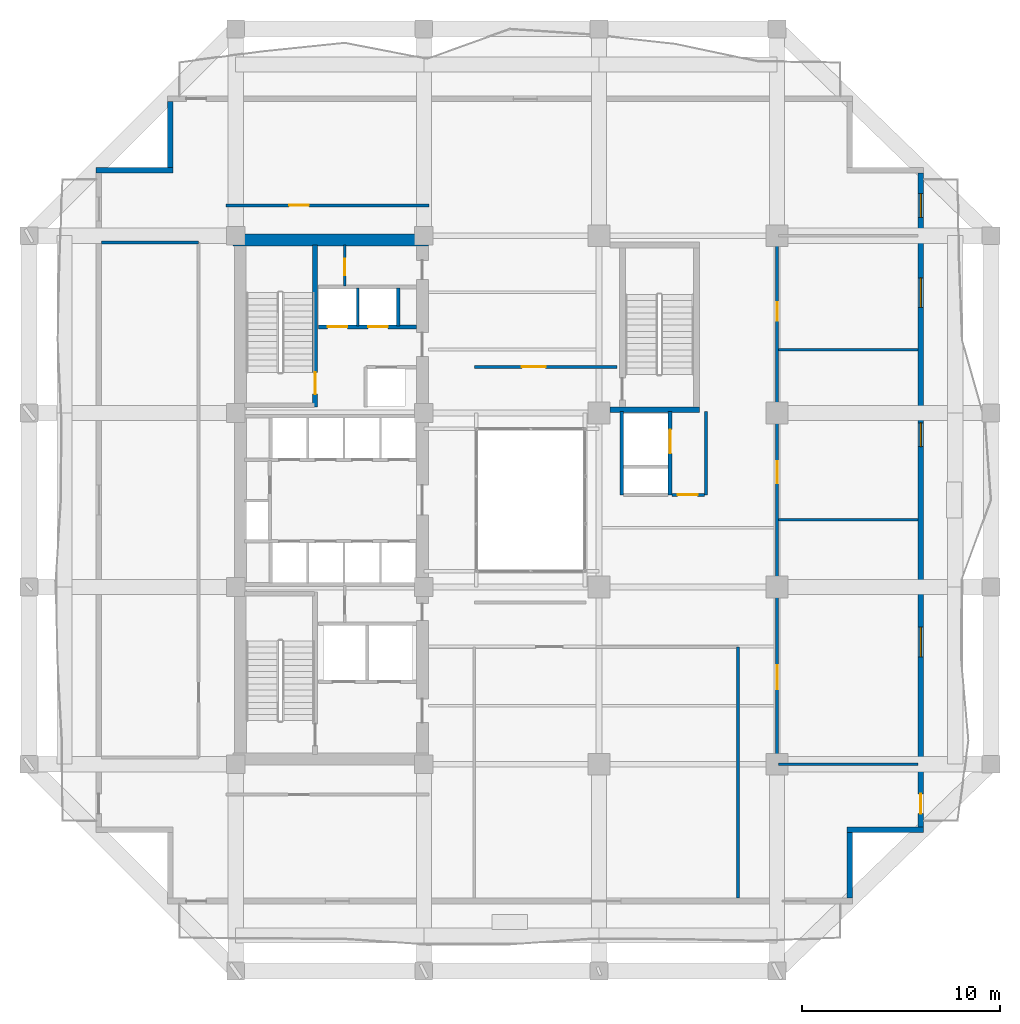
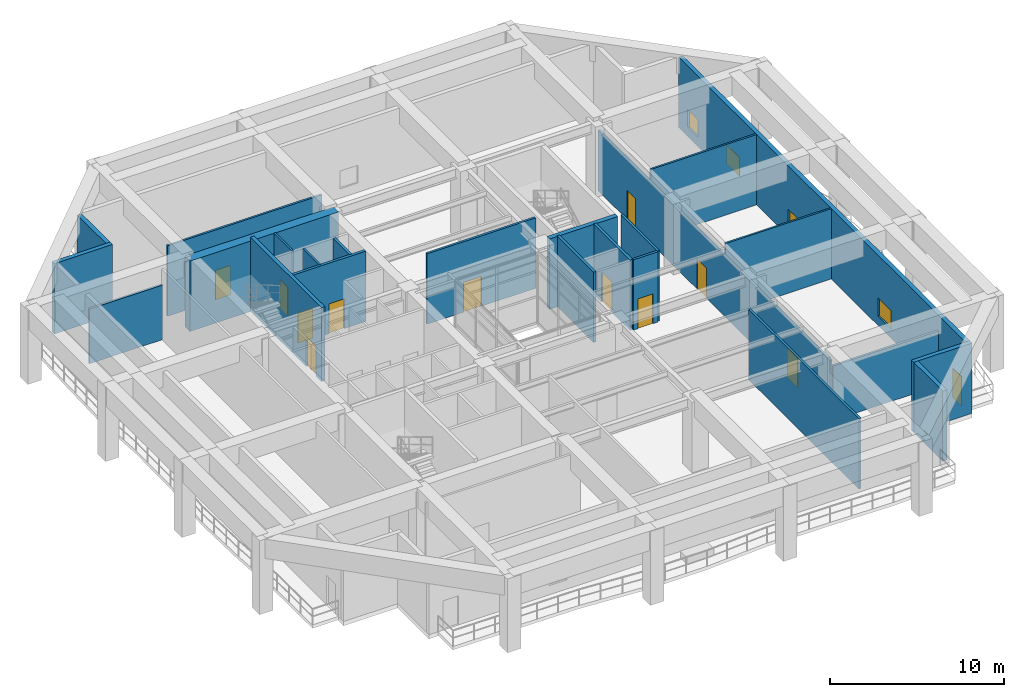
# One storey, part 7 of 13: 24 walls, 12 doors, 4 windows, 16 openings.
"""IFC4 building model written with IfcOpenShell, lengths in metres."""

from ifc_helpers import new_model, si_unit, direction, frame, frame_2d, origin, place, context, subcontext, project, spatial, rectangle, extrude, material, layer, layer_set, type_object, element, fill, save


model = new_model("IFC4")

# Units and contexts
model_context = context("Model", 3, precision=1e-05, world=origin(), true_north=direction((0.0, 1.0)))
body_context = subcontext(model_context, "Body", "Model", "MODEL_VIEW")
ifc_project = project(units=[si_unit("LENGTHUNIT", "METRE"), si_unit("AREAUNIT", "SQUARE_METRE"), si_unit("VOLUMEUNIT", "CUBIC_METRE"), si_unit("PLANEANGLEUNIT", "RADIAN"), si_unit("MASSUNIT", "GRAM", prefix="KILO")], contexts=[model_context])

# Site, building, storey
site_placement = place(None, origin())
site = spatial("IfcSite", under=ifc_project, at=site_placement, CompositionType="ELEMENT")
building_placement = place(site_placement, origin())
building = spatial("IfcBuilding", under=site, at=building_placement, Name="Kundavana Baori Tower", CompositionType="ELEMENT")
storey_placement = place(building_placement, frame((0.0, 0.0, 98.800048828125)))
storey = spatial("IfcBuildingStorey", under=building, at=storey_placement, Name="L23", CompositionType="ELEMENT", Elevation=98.800048828125)

# Wall, opening, door
ifc_material_1 = material(Name="Concrete C50/60", Category="concrete")
ifc_layer_1 = layer(ifc_material_1, 0.39990234375, Name="WL-CORE-400")
ifc_layer_set_1 = layer_set([ifc_layer_1], Name="Concrete C50/60")
wall_type_1 = type_object("IfcWallType", Name="WL-CORE-400", PredefinedType="SHEAR", material=ifc_layer_set_1)
wall_1_placement = place(storey_placement, frame((19.4599609375, 33.300048828125, 0.0), z_axis=(0.0, 0.0, 1.0), x_axis=(0.0, 1.0, 0.0)))
wall_1 = element("IfcWall", 1, at=wall_1_placement, inside=storey, type_object=wall_type_1, Name="WL-L23-ST2-E", PredefinedType="SHEAR", context=body_context, shape_type="SweptSolid", body=[
    extrude(rectangle(XDim=8.179931640625, YDim=0.239990234375, at=frame_2d((4.08984375, 0.0))), origin(), (0.0, 0.0, 1.0), 5.199951171875),
])
opening_1_placement = place(wall_1_placement, frame((0.64990234375, 0.0, 0.0)))
opening_1 = element("IfcOpeningElement", 2, at=opening_1_placement, cuts=wall_1, Name="Opening FD-110", PredefinedType="OPENING", context=body_context, shape_type="SweptSolid", body=[
    extrude(rectangle(XDim=1.10009765625, YDim=2.10009765625, at=frame_2d((0.550048828125, 1.050048828125))), frame((0.0, 0.1298828125, 0.0), z_axis=(0.0, -1.0, 0.0), x_axis=(1.0, 0.0, 0.0)), (0.0, 0.0, 1.0), 0.260009765625),
])
ifc_material_2 = material(Name="Galvanised Steel Fire-Rated Door Leaf", Category="steel")
door_type_1 = type_object("IfcDoorType", Name="DR-FD120-1100", OperationType="NOTDEFINED", PredefinedType="DOOR", material=ifc_material_2)
door_1_placement = place(opening_1_placement, origin())
door_1 = element("IfcDoor", 3, at=door_1_placement, inside=storey, type_object=door_type_1, Name="DR-L23-ST2", OperationType="SINGLE_SWING_RIGHT", OverallHeight=2.10009765625, OverallWidth=1.10009765625, PredefinedType="DOOR", context=body_context, shape_type="SweptSolid", body=[
    extrude(rectangle(XDim=1.10009765625, YDim=2.10009765625, at=frame_2d((0.550048828125, 1.050048828125))), frame((0.0, 0.02490234375, 0.0), z_axis=(0.0, -1.0, 0.0), x_axis=(1.0, 0.0, 0.0)), (0.0, 0.0, 1.0), 0.050048828125),
])
fill(opening_1, door_1)

# Walls
ifc_material_3 = material(Name="Concrete C60/75", Category="concrete")
ifc_layer_2 = layer(ifc_material_3, 0.60009765625, Name="WL-CORE-600")
ifc_layer_set_2 = layer_set([ifc_layer_2], Name="Concrete C60/75")
wall_type_2 = type_object("IfcWallType", Name="WL-CORE-600", PredefinedType="SHEAR", material=ifc_layer_set_2)
wall_2_placement = place(storey_placement, frame((15.300048828125, 41.739990234375, 0.0), z_axis=(0.0, 0.0, 1.0), x_axis=(1.0, 0.0, 0.0)))
element("IfcWall", 4, at=wall_2_placement, inside=storey, type_object=wall_type_2, Name="L23 Offset Core North Shear Wall", PredefinedType="SHEAR", context=body_context, shape_type="SweptSolid", body=[
    extrude(rectangle(XDim=9.8798828125, YDim=0.60009765625, at=frame_2d((4.93994140625, 0.0))), origin(), (0.0, 0.0, 1.0), 4.949951171875),
])
ifc_material_4 = material(Name="Red-Buff Dholpur Sandstone Cladding on Concrete C40/50", Category="masonry")
ifc_layer_3 = layer(ifc_material_4, 0.280029296875, Name="WL-EXT-SAND-280")
ifc_layer_set_3 = layer_set([ifc_layer_3], Name="Red-Buff Dholpur Sandstone Cladding on Concrete C40/50")
wall_type_3 = type_object("IfcWallType", Name="WL-EXT-SAND-280", PredefinedType="STANDARD", material=ifc_layer_set_3)
wall_3_placement = place(storey_placement, frame((46.4599609375, 8.47998046875, 0.0), z_axis=(0.0, 0.0, 1.0), x_axis=(0.0, 1.0, 0.0)))
element("IfcWall", 5, at=wall_3_placement, inside=storey, type_object=wall_type_3, Name="L23 Exterior Insulated Facade Wall 02", PredefinedType="STANDARD", context=body_context, shape_type="SweptSolid", body=[
    extrude(rectangle(XDim=3.320068359375, YDim=0.280029296875, at=frame_2d((1.66015625, 0.0))), origin(), (0.0, 0.0, 1.0), 4.949951171875),
])
wall_4_placement = place(storey_placement, frame((46.320068359375, 11.93994140625, 0.0), z_axis=(0.0, 0.0, 1.0), x_axis=(1.0, 0.0, 0.0)))
element("IfcWall", 6, at=wall_4_placement, inside=storey, type_object=wall_type_3, Name="L23 Exterior Insulated Facade Wall 03", PredefinedType="STANDARD", context=body_context, shape_type="SweptSolid", body=[
    extrude(rectangle(XDim=3.8798828125, YDim=0.280029296875, at=frame_2d((1.93994140625, 0.0))), origin(), (0.0, 0.0, 1.0), 4.949951171875),
])

# Wall, openings, door, windows
wall_5_placement = place(storey_placement, frame((50.06005859375, 12.080078125, 0.0), z_axis=(0.0, 0.0, 1.0), x_axis=(0.0, 1.0, 0.0)))
wall_5 = element("IfcWall", 7, at=wall_5_placement, inside=storey, type_object=wall_type_3, Name="L23 Exterior Insulated Facade Wall 04", PredefinedType="STANDARD", context=body_context, shape_type="SweptSolid", body=[
    extrude(rectangle(XDim=33.0400390625, YDim=0.280029296875, at=frame_2d((16.52001953125, 0.0))), origin(), (0.0, 0.0, 1.0), 4.949951171875),
])
opening_2_placement = place(wall_5_placement, frame((0.669921875, 0.0, 0.0)))
opening_2 = element("IfcOpeningElement", 8, at=opening_2_placement, cuts=wall_5, Name="Opening BD-1", PredefinedType="OPENING", context=body_context, shape_type="SweptSolid", body=[
    extrude(rectangle(XDim=1.0, YDim=2.050048828125, at=frame_2d((0.5, 1.02490234375))), frame((0.0, 0.14990234375, 0.0), z_axis=(0.0, -1.0, 0.0), x_axis=(1.0, 0.0, 0.0)), (0.0, 0.0, 1.0), 0.300048828125),
])
opening_3_placement = place(wall_5_placement, frame((8.594970703125, 0.0, 0.64990234375)))
opening_3 = element("IfcOpeningElement", 9, at=opening_3_placement, cuts=wall_5, Name="Opening W-11", PredefinedType="OPENING", context=body_context, shape_type="SweptSolid", body=[
    extrude(rectangle(XDim=1.5, YDim=1.300048828125, at=frame_2d((0.75, 0.64990234375))), frame((0.0, 0.14990234375, 0.0), z_axis=(0.0, -1.0, 0.0), x_axis=(1.0, 0.0, 0.0)), (0.0, 0.0, 1.0), 0.300048828125),
])
opening_4_placement = place(wall_5_placement, frame((19.219970703125, 0.0, 0.64990234375)))
opening_4 = element("IfcOpeningElement", 10, at=opening_4_placement, cuts=wall_5, Name="Opening W-12", PredefinedType="OPENING", context=body_context, shape_type="SweptSolid", body=[
    extrude(rectangle(XDim=1.199951171875, YDim=1.25, at=frame_2d((0.60009765625, 0.625))), frame((0.0, 0.14990234375, 0.0), z_axis=(0.0, -1.0, 0.0), x_axis=(1.0, 0.0, 0.0)), (0.0, 0.0, 1.0), 0.300048828125),
])
opening_5_placement = place(wall_5_placement, frame((26.2451171875, 0.0, 0.64990234375)))
opening_5 = element("IfcOpeningElement", 11, at=opening_5_placement, cuts=wall_5, Name="Opening W-11", PredefinedType="OPENING", context=body_context, shape_type="SweptSolid", body=[
    extrude(rectangle(XDim=1.5, YDim=1.300048828125, at=frame_2d((0.75, 0.64990234375))), frame((0.0, 0.14990234375, 0.0), z_axis=(0.0, -1.0, 0.0), x_axis=(1.0, 0.0, 0.0)), (0.0, 0.0, 1.0), 0.300048828125),
])
opening_6_placement = place(wall_5_placement, frame((30.800048828125, 0.0, 0.64990234375)))
opening_6 = element("IfcOpeningElement", 12, at=opening_6_placement, cuts=wall_5, Name="Opening W-12", PredefinedType="OPENING", context=body_context, shape_type="SweptSolid", body=[
    extrude(rectangle(XDim=1.199951171875, YDim=1.25, at=frame_2d((0.60009765625, 0.625))), frame((0.0, 0.14990234375, 0.0), z_axis=(0.0, -1.0, 0.0), x_axis=(1.0, 0.0, 0.0)), (0.0, 0.0, 1.0), 0.300048828125),
])
ifc_material_5 = material(Name="Architectural Patinated Bronze Metalwork")
door_type_2 = type_object("IfcDoorType", Name="DR-EXT-LOG-1000", OperationType="NOTDEFINED", PredefinedType="DOOR", material=ifc_material_5)
door_2_placement = place(opening_2_placement, frame((1.0, 0.0, 0.0), z_axis=(0.0, 0.0, 1.0), x_axis=(-1.0, 0.0, 0.0)))
door_2 = element("IfcDoor", 13, at=door_2_placement, inside=storey, type_object=door_type_2, Name="L23 Loggia Balcony Access Door E", OperationType="SINGLE_SWING_RIGHT", OverallHeight=2.050048828125, OverallWidth=1.0, PredefinedType="DOOR", context=body_context, shape_type="SweptSolid", body=[
    extrude(rectangle(XDim=1.0, YDim=2.050048828125, at=frame_2d((0.5, 1.02490234375))), frame((0.0, 0.02490234375, 0.0), z_axis=(0.0, -1.0, 0.0), x_axis=(1.0, 0.0, 0.0)), (0.0, 0.0, 1.0), 0.050048828125),
])
fill(opening_2, door_2)
ifc_material_6 = material(Name="Double-Glazed Solar-Control Low-E Insulated Glass", Category="glass")
window_type_1 = type_object("IfcWindowType", Name="WIN-TRN-1200x1250", PartitioningType="SINGLE_PANEL", PredefinedType="WINDOW", material=ifc_material_6)
window_1_placement = place(opening_4_placement, origin())
window_1 = element("IfcWindow", 14, at=window_1_placement, inside=storey, type_object=window_type_1, Name="L23 Recessed Loggia Window E-3", OverallHeight=1.25, OverallWidth=1.199951171875, PartitioningType="SINGLE_PANEL", PredefinedType="WINDOW", context=body_context, shape_type="SweptSolid", body=[
    extrude(rectangle(XDim=1.199951171875, YDim=1.25, at=frame_2d((0.60009765625, 0.625))), frame((0.0, 0.030029296875, 0.0), z_axis=(0.0, -1.0, 0.0), x_axis=(1.0, 0.0, 0.0)), (0.0, 0.0, 1.0), 0.06005859375),
])
fill(opening_4, window_1)
window_2_placement = place(opening_6_placement, origin())
window_2 = element("IfcWindow", 15, at=window_2_placement, inside=storey, type_object=window_type_1, Name="L23 Recessed Loggia Window E-5", OverallHeight=1.25, OverallWidth=1.199951171875, PartitioningType="SINGLE_PANEL", PredefinedType="WINDOW", context=body_context, shape_type="SweptSolid", body=[
    extrude(rectangle(XDim=1.199951171875, YDim=1.25, at=frame_2d((0.60009765625, 0.625))), frame((0.0, 0.030029296875, 0.0), z_axis=(0.0, -1.0, 0.0), x_axis=(1.0, 0.0, 0.0)), (0.0, 0.0, 1.0), 0.06005859375),
])
fill(opening_6, window_2)
ifc_material_7 = material(Name="Double-Glazed Solar-Control Low-E Insulated Glass", Category="glass")
window_type_2 = type_object("IfcWindowType", Name="WIN-TRN-1500x1300", PartitioningType="SINGLE_PANEL", PredefinedType="WINDOW", material=ifc_material_7)
window_3_placement = place(opening_3_placement, origin())
window_3 = element("IfcWindow", 16, at=window_3_placement, inside=storey, type_object=window_type_2, Name="L23 Recessed Loggia Window E-2", OverallHeight=1.300048828125, OverallWidth=1.5, PartitioningType="SINGLE_PANEL", PredefinedType="WINDOW", context=body_context, shape_type="SweptSolid", body=[
    extrude(rectangle(XDim=1.5, YDim=1.300048828125, at=frame_2d((0.75, 0.64990234375))), frame((0.0, 0.030029296875, 0.0), z_axis=(0.0, -1.0, 0.0), x_axis=(1.0, 0.0, 0.0)), (0.0, 0.0, 1.0), 0.06005859375),
])
fill(opening_3, window_3)
window_4_placement = place(opening_5_placement, origin())
window_4 = element("IfcWindow", 17, at=window_4_placement, inside=storey, type_object=window_type_2, Name="L23 Recessed Loggia Window E-4", OverallHeight=1.300048828125, OverallWidth=1.5, PartitioningType="SINGLE_PANEL", PredefinedType="WINDOW", context=body_context, shape_type="SweptSolid", body=[
    extrude(rectangle(XDim=1.5, YDim=1.300048828125, at=frame_2d((0.75, 0.64990234375))), frame((0.0, 0.030029296875, 0.0), z_axis=(0.0, -1.0, 0.0), x_axis=(1.0, 0.0, 0.0)), (0.0, 0.0, 1.0), 0.06005859375),
])
fill(opening_5, window_4)

# Walls
wall_6_placement = place(storey_placement, frame((12.139892578125, 48.719970703125, 0.0), z_axis=(0.0, 0.0, 1.0), x_axis=(0.0, -1.0, 0.0)))
element("IfcWall", 18, at=wall_6_placement, inside=storey, type_object=wall_type_3, Name="L23 Exterior Insulated Facade Wall 08", PredefinedType="STANDARD", context=body_context, shape_type="SweptSolid", body=[
    extrude(rectangle(XDim=3.320068359375, YDim=0.280029296875, at=frame_2d((1.66015625, 0.0))), origin(), (0.0, 0.0, 1.0), 4.949951171875),
])
wall_7_placement = place(storey_placement, frame((12.280029296875, 45.260009765625, 0.0), z_axis=(0.0, 0.0, 1.0), x_axis=(-1.0, 0.0, 0.0)))
element("IfcWall", 19, at=wall_7_placement, inside=storey, type_object=wall_type_3, Name="L23 Exterior Insulated Facade Wall 09", PredefinedType="STANDARD", context=body_context, shape_type="SweptSolid", body=[
    extrude(rectangle(XDim=3.880126953125, YDim=0.280029296875, at=frame_2d((1.93994140625, 0.0))), origin(), (0.0, 0.0, 1.0), 4.949951171875),
])
ifc_material_8 = material(Name="Acoustic Gypsum Plasterboard on Galvanised Steel Studs", Category="steel")
ifc_layer_4 = layer(ifc_material_8, 0.1201171875, Name="WL-PART-120")
ifc_layer_set_4 = layer_set([ifc_layer_4], Name="Acoustic Gypsum Plasterboard on Galvanised Steel Studs")
wall_type_4 = type_object("IfcWallType", Name="WL-PART-120", PredefinedType="PARTITIONING", material=ifc_layer_set_4)
wall_8_placement = place(storey_placement, frame((21.6201171875, 37.39990234375, 0.0), z_axis=(0.0, 0.0, 1.0), x_axis=(0.0, 1.0, 0.0)))
element("IfcWall", 20, at=wall_8_placement, inside=storey, type_object=wall_type_4, Name="WL-L23-HR-DIV1", PredefinedType="PARTITIONING", context=body_context, shape_type="SweptSolid", body=[
    extrude(rectangle(XDim=1.900146484375, YDim=0.1201171875, at=frame_2d((0.9501953125, 0.0))), origin(), (0.0, 0.0, 1.0), 4.949951171875),
])

# Wall, opening, door
wall_9_placement = place(storey_placement, frame((20.949951171875, 39.39990234375, 0.0), z_axis=(0.0, 0.0, 1.0), x_axis=(0.0, 1.0, 0.0)))
wall_9 = element("IfcWall", 21, at=wall_9_placement, inside=storey, type_object=wall_type_4, Name="WL-L23-CSRV-D2", PredefinedType="PARTITIONING", context=body_context, shape_type="SweptSolid", body=[
    extrude(rectangle(XDim=2.080078125, YDim=0.1201171875, at=frame_2d((1.0400390625, 0.0))), origin(), (0.0, 0.0, 1.0), 4.949951171875),
])
opening_7_placement = place(wall_9_placement, frame((0.550048828125, 0.0, 0.0)))
opening_7 = element("IfcOpeningElement", 22, at=opening_7_placement, cuts=wall_9, Name="Opening FD-085", PredefinedType="OPENING", context=body_context, shape_type="SweptSolid", body=[
    extrude(rectangle(XDim=0.85009765625, YDim=2.06005859375, at=frame_2d((0.425048828125, 1.030029296875))), frame((0.0, 0.070068359375, 0.0), z_axis=(0.0, -1.0, 0.0), x_axis=(1.0, 0.0, 0.0)), (0.0, 0.0, 1.0), 0.14013671875),
])
ifc_material_9 = material(Name="Galvanised Steel Fire-Rated Door Leaf", Category="steel")
door_type_3 = type_object("IfcDoorType", Name="DR-FD60-850", OperationType="NOTDEFINED", PredefinedType="DOOR", material=ifc_material_9)
door_3_placement = place(opening_7_placement, origin())
door_3 = element("IfcDoor", 23, at=door_3_placement, inside=storey, type_object=door_type_3, Name="DR-L23-CSRV1", OperationType="SINGLE_SWING_RIGHT", OverallHeight=2.06005859375, OverallWidth=0.85009765625, PredefinedType="DOOR", context=body_context, shape_type="SweptSolid", body=[
    extrude(rectangle(XDim=0.85009765625, YDim=2.06005859375, at=frame_2d((0.425048828125, 1.030029296875))), frame((0.0, 0.02490234375, 0.0), z_axis=(0.0, -1.0, 0.0), x_axis=(1.0, 0.0, 0.0)), (0.0, 0.0, 1.0), 0.050048828125),
])
fill(opening_7, door_3)

# Wall
wall_10_placement = place(storey_placement, frame((42.8798828125, 27.60009765625, 0.0), z_axis=(0.0, 0.0, 1.0), x_axis=(1.0, 0.0, 0.0)))
element("IfcWall", 24, at=wall_10_placement, inside=storey, type_object=wall_type_4, Name="WL-L23-D1", PredefinedType="PARTITIONING", context=body_context, shape_type="SweptSolid", body=[
    extrude(rectangle(XDim=7.0400390625, YDim=0.1201171875, at=frame_2d((3.52001953125, 0.0))), origin(), (0.0, 0.0, 1.0), 4.949951171875),
])

# Wall, opening, door
ifc_material_10 = material(Name="Acoustic Gypsum Plasterboard on Galvanised Steel Studs", Category="steel")
ifc_layer_5 = layer(ifc_material_10, 0.135009765625, Name="WL-PART-135")
ifc_layer_set_5 = layer_set([ifc_layer_5], Name="Acoustic Gypsum Plasterboard on Galvanised Steel Studs")
wall_type_5 = type_object("IfcWallType", Name="WL-PART-135", PredefinedType="PARTITIONING", material=ifc_layer_set_5)
wall_11_placement = place(storey_placement, frame((14.949951171875, 43.47998046875, 0.0), z_axis=(0.0, 0.0, 1.0), x_axis=(1.0, 0.0, 0.0)))
wall_11 = element("IfcWall", 25, at=wall_11_placement, inside=storey, type_object=wall_type_5, Name="WL-L23-NC", PredefinedType="PARTITIONING", context=body_context, shape_type="SweptSolid", body=[
    extrude(rectangle(XDim=10.27001953125, YDim=0.135009765625, at=frame_2d((5.135009765625, 0.0))), origin(), (0.0, 0.0, 1.0), 4.949951171875),
])
opening_8_placement = place(wall_11_placement, frame((3.199951171875, 0.0, 0.0)))
opening_8 = element("IfcOpeningElement", 26, at=opening_8_placement, cuts=wall_11, Name="Opening ID-100", PredefinedType="OPENING", context=body_context, shape_type="SweptSolid", body=[
    extrude(rectangle(XDim=1.0, YDim=2.080078125, at=frame_2d((0.5, 1.0400390625))), frame((0.0, 0.07763671875, 0.0), z_axis=(0.0, -1.0, 0.0), x_axis=(1.0, 0.0, 0.0)), (0.0, 0.0, 1.0), 0.155029296875),
])
ifc_material_11 = material(Name="Engineered Teak Solid-Core Timber Veneer", Category="wood")
door_type_4 = type_object("IfcDoorType", Name="DR-INT-1000", OperationType="NOTDEFINED", PredefinedType="DOOR", material=ifc_material_11)
door_4_placement = place(opening_8_placement, origin())
door_4 = element("IfcDoor", 27, at=door_4_placement, inside=storey, type_object=door_type_4, Name="DR-L23-OBNW", OperationType="SINGLE_SWING_RIGHT", OverallHeight=2.080078125, OverallWidth=1.0, PredefinedType="DOOR", context=body_context, shape_type="SweptSolid", body=[
    extrude(rectangle(XDim=1.0, YDim=2.080078125, at=frame_2d((0.5, 1.0400390625))), frame((0.0, 0.02490234375, 0.0), z_axis=(0.0, -1.0, 0.0), x_axis=(1.0, 0.0, 0.0)), (0.0, 0.0, 1.0), 0.050048828125),
])
fill(opening_8, door_4)

# Wall
ifc_material_12 = material(Name="Fire-Rated Gypsum Drywall on Galvanised Steel Studs", Category="steel")
ifc_layer_6 = layer(ifc_material_12, 0.14990234375, Name="WL-PART-150")
ifc_layer_set_6 = layer_set([ifc_layer_6], Name="Fire-Rated Gypsum Drywall on Galvanised Steel Studs")
wall_type_6 = type_object("IfcWallType", Name="WL-PART-150", PredefinedType="PARTITIONING", material=ifc_layer_set_6)
wall_12_placement = place(storey_placement, frame((39.199951171875, 28.860107421875, 0.0), z_axis=(0.0, 0.0, 1.0), x_axis=(0.0, 1.0, 0.0)))
element("IfcWall", 28, at=wall_12_placement, inside=storey, type_object=wall_type_6, Name="WL-L23-SVLOB-E", PredefinedType="PARTITIONING", context=body_context, shape_type="SweptSolid", body=[
    extrude(rectangle(XDim=4.219970703125, YDim=0.14990234375, at=frame_2d((2.10986328125, 0.0))), origin(), (0.0, 0.0, 1.0), 4.949951171875),
])

# Wall, opening, door
wall_13_placement = place(storey_placement, frame((37.47998046875, 28.860107421875, 0.0), z_axis=(0.0, 0.0, 1.0), x_axis=(1.0, 0.0, 0.0)))
wall_13 = element("IfcWall", 29, at=wall_13_placement, inside=storey, type_object=wall_type_6, Name="WL-L23-SVLOB-S", PredefinedType="PARTITIONING", context=body_context, shape_type="SweptSolid", body=[
    extrude(rectangle(XDim=1.64013671875, YDim=0.14990234375, at=frame_2d((0.820068359375, 0.0))), origin(), (0.0, 0.0, 1.0), 4.949951171875),
])
opening_9_placement = place(wall_13_placement, frame((0.300048828125, 0.0, 0.0)))
opening_9 = element("IfcOpeningElement", 30, at=opening_9_placement, cuts=wall_13, Name="Opening FD-100", PredefinedType="OPENING", context=body_context, shape_type="SweptSolid", body=[
    extrude(rectangle(XDim=1.0, YDim=2.10009765625, at=frame_2d((0.5, 1.050048828125))), frame((0.0, 0.0849609375, 0.0), z_axis=(0.0, -1.0, 0.0), x_axis=(1.0, 0.0, 0.0)), (0.0, 0.0, 1.0), 0.169921875),
])
ifc_material_13 = material(Name="Engineered Teak Fire-Rated Timber Door Leaf", Category="wood")
door_type_5 = type_object("IfcDoorType", Name="DR-FD60-1000", OperationType="NOTDEFINED", PredefinedType="DOOR", material=ifc_material_13)
door_5_placement = place(opening_9_placement, origin())
door_5 = element("IfcDoor", 31, at=door_5_placement, inside=storey, type_object=door_type_5, Name="DR-L23-SVLOB-OUT", OperationType="SINGLE_SWING_LEFT", OverallHeight=2.10009765625, OverallWidth=1.0, PredefinedType="DOOR", context=body_context, shape_type="SweptSolid", body=[
    extrude(rectangle(XDim=1.0, YDim=2.10009765625, at=frame_2d((0.5, 1.050048828125))), frame((0.0, 0.02490234375, 0.0), z_axis=(0.0, -1.0, 0.0), x_axis=(1.0, 0.0, 0.0)), (0.0, 0.0, 1.0), 0.050048828125),
])
fill(opening_9, door_5)

# Wall
wall_14_placement = place(storey_placement, frame((8.679931640625, 41.60009765625, 0.0), z_axis=(0.0, 0.0, 1.0), x_axis=(1.0, 0.0, 0.0)))
element("IfcWall", 32, at=wall_14_placement, inside=storey, type_object=wall_type_6, Name="WL-L23-SLWN", PredefinedType="PARTITIONING", context=body_context, shape_type="SweptSolid", body=[
    extrude(rectangle(XDim=4.89013671875, YDim=0.14990234375, at=frame_2d((2.445068359375, 0.0))), origin(), (0.0, 0.0, 1.0), 3.83984375),
])

# Wall, opening, door
wall_15_placement = place(storey_placement, frame((27.5, 35.320068359375, 0.0), z_axis=(0.0, 0.0, 1.0), x_axis=(1.0, 0.0, 0.0)))
wall_15 = element("IfcWall", 33, at=wall_15_placement, inside=storey, type_object=wall_type_6, Name="WL-L23-SLN", PredefinedType="PARTITIONING", context=body_context, shape_type="SweptSolid", body=[
    extrude(rectangle(XDim=7.219970703125, YDim=0.14990234375, at=frame_2d((3.60986328125, 0.0))), origin(), (0.0, 0.0, 1.0), 4.949951171875),
])
opening_10_placement = place(wall_15_placement, frame((2.39990234375, 0.0, 0.0)))
opening_10 = element("IfcOpeningElement", 34, at=opening_10_placement, cuts=wall_15, Name="Opening ID-120", PredefinedType="OPENING", context=body_context, shape_type="SweptSolid", body=[
    extrude(rectangle(XDim=1.199951171875, YDim=2.10009765625, at=frame_2d((0.60009765625, 1.050048828125))), frame((0.0, 0.0849609375, 0.0), z_axis=(0.0, -1.0, 0.0), x_axis=(1.0, 0.0, 0.0)), (0.0, 0.0, 1.0), 0.169921875),
])
ifc_material_14 = material(Name="Engineered Teak Solid-Core Timber Veneer", Category="wood")
door_type_6 = type_object("IfcDoorType", Name="DR-INT-1200", OperationType="NOTDEFINED", PredefinedType="DOOR", material=ifc_material_14)
door_6_placement = place(opening_10_placement, origin())
door_6 = element("IfcDoor", 35, at=door_6_placement, inside=storey, type_object=door_type_6, Name="DR-L23-SPA", OperationType="SINGLE_SWING_RIGHT", OverallHeight=2.10009765625, OverallWidth=1.199951171875, PredefinedType="DOOR", context=body_context, shape_type="SweptSolid", body=[
    extrude(rectangle(XDim=1.199951171875, YDim=2.10009765625, at=frame_2d((0.60009765625, 1.050048828125))), frame((0.0, 0.02490234375, 0.0), z_axis=(0.0, -1.0, 0.0), x_axis=(1.0, 0.0, 0.0)), (0.0, 0.0, 1.0), 0.050048828125),
])
fill(opening_10, door_6)

# Wall, openings, doors
wall_16_placement = place(storey_placement, frame((42.800048828125, 15.25, 0.0), z_axis=(0.0, 0.0, 1.0), x_axis=(0.0, 1.0, 0.0)))
wall_16 = element("IfcWall", 36, at=wall_16_placement, inside=storey, type_object=wall_type_6, Name="WL-L23-SLE", PredefinedType="PARTITIONING", context=body_context, shape_type="SweptSolid", body=[
    extrude(rectangle(XDim=26.699951171875, YDim=0.14990234375, at=frame_2d((13.35009765625, 0.0))), origin(), (0.0, 0.0, 1.0), 4.25),
])
opening_11_placement = place(wall_16_placement, frame((3.800048828125, 0.0, 0.0)))
opening_11 = element("IfcOpeningElement", 37, at=opening_11_placement, cuts=wall_16, Name="Opening ID-120", PredefinedType="OPENING", context=body_context, shape_type="SweptSolid", body=[
    extrude(rectangle(XDim=1.199951171875, YDim=2.10009765625, at=frame_2d((0.60009765625, 1.050048828125))), frame((0.0, 0.0849609375, 0.0), z_axis=(0.0, -1.0, 0.0), x_axis=(1.0, 0.0, 0.0)), (0.0, 0.0, 1.0), 0.169921875),
])
opening_12_placement = place(wall_16_placement, frame((14.199951171875, 0.0, 0.0)))
opening_12 = element("IfcOpeningElement", 38, at=opening_12_placement, cuts=wall_16, Name="Opening FD-112", PredefinedType="OPENING", context=body_context, shape_type="SweptSolid", body=[
    extrude(rectangle(XDim=1.10009765625, YDim=2.1201171875, at=frame_2d((0.550048828125, 1.06005859375))), frame((0.0, 0.0849609375, 0.0), z_axis=(0.0, -1.0, 0.0), x_axis=(1.0, 0.0, 0.0)), (0.0, 0.0, 1.0), 0.169921875),
])
opening_13_placement = place(wall_16_placement, frame((22.39990234375, 0.0, 0.0)))
opening_13 = element("IfcOpeningElement", 39, at=opening_13_placement, cuts=wall_16, Name="Opening WD-095", PredefinedType="OPENING", context=body_context, shape_type="SweptSolid", body=[
    extrude(rectangle(XDim=0.949951171875, YDim=2.050048828125, at=frame_2d((0.47509765625, 1.02490234375))), frame((0.0, 0.0849609375, 0.0), z_axis=(0.0, -1.0, 0.0), x_axis=(1.0, 0.0, 0.0)), (0.0, 0.0, 1.0), 0.169921875),
])
ifc_material_15 = material(Name="Engineered Teak Fire-Rated Timber Door Leaf", Category="wood")
door_type_7 = type_object("IfcDoorType", Name="DR-FD60-1100", OperationType="NOTDEFINED", PredefinedType="DOOR", material=ifc_material_15)
door_7_placement = place(opening_12_placement, origin())
door_7 = element("IfcDoor", 40, at=door_7_placement, inside=storey, type_object=door_type_7, Name="DR-L23-KIT", OperationType="SINGLE_SWING_RIGHT", OverallHeight=2.1201171875, OverallWidth=1.10009765625, PredefinedType="DOOR", context=body_context, shape_type="SweptSolid", body=[
    extrude(rectangle(XDim=1.10009765625, YDim=2.1201171875, at=frame_2d((0.550048828125, 1.06005859375))), frame((0.0, 0.02490234375, 0.0), z_axis=(0.0, -1.0, 0.0), x_axis=(1.0, 0.0, 0.0)), (0.0, 0.0, 1.0), 0.050048828125),
])
fill(opening_12, door_7)
door_8_placement = place(opening_11_placement, origin())
door_8 = element("IfcDoor", 41, at=door_8_placement, inside=storey, type_object=door_type_6, Name="DR-L23-BAR", OperationType="SINGLE_SWING_LEFT", OverallHeight=2.10009765625, OverallWidth=1.199951171875, PredefinedType="DOOR", context=body_context, shape_type="SweptSolid", body=[
    extrude(rectangle(XDim=1.199951171875, YDim=2.10009765625, at=frame_2d((0.60009765625, 1.050048828125))), frame((0.0, 0.02490234375, 0.0), z_axis=(0.0, -1.0, 0.0), x_axis=(1.0, 0.0, 0.0)), (0.0, 0.0, 1.0), 0.050048828125),
])
fill(opening_11, door_8)
ifc_material_16 = material(Name="Engineered Teak Solid-Core Timber Veneer", Category="wood")
door_type_8 = type_object("IfcDoorType", Name="DR-WET-950", OperationType="NOTDEFINED", PredefinedType="DOOR", material=ifc_material_16)
door_9_placement = place(opening_13_placement, origin())
door_9 = element("IfcDoor", 42, at=door_9_placement, inside=storey, type_object=door_type_8, Name="DR-L23-WC", OperationType="SINGLE_SWING_LEFT", OverallHeight=2.050048828125, OverallWidth=0.949951171875, PredefinedType="DOOR", context=body_context, shape_type="SweptSolid", body=[
    extrude(rectangle(XDim=0.949951171875, YDim=2.050048828125, at=frame_2d((0.47509765625, 1.02490234375))), frame((0.0, 0.02490234375, 0.0), z_axis=(0.0, -1.0, 0.0), x_axis=(1.0, 0.0, 0.0)), (0.0, 0.0, 1.0), 0.050048828125),
])
fill(opening_13, door_9)

# Walls
wall_17_placement = place(storey_placement, frame((42.8798828125, 15.25, 0.0), z_axis=(0.0, 0.0, 1.0), x_axis=(1.0, 0.0, 0.0)))
element("IfcWall", 43, at=wall_17_placement, inside=storey, type_object=wall_type_6, Name="WL-L23-SLES", PredefinedType="PARTITIONING", context=body_context, shape_type="SweptSolid", body=[
    extrude(rectangle(XDim=7.0400390625, YDim=0.14990234375, at=frame_2d((3.52001953125, 0.0))), origin(), (0.0, 0.0, 1.0), 3.83984375),
])
wall_18_placement = place(storey_placement, frame((40.820068359375, 8.47998046875, 0.0), z_axis=(0.0, 0.0, 1.0), x_axis=(0.0, 1.0, 0.0)))
element("IfcWall", 44, at=wall_18_placement, inside=storey, type_object=wall_type_6, Name="WL-L23-DINE", PredefinedType="PARTITIONING", context=body_context, shape_type="SweptSolid", body=[
    extrude(rectangle(XDim=12.699951171875, YDim=0.14990234375, at=frame_2d((6.35009765625, 0.0))), origin(), (0.0, 0.0, 1.0), 4.949951171875),
])

# Wall, openings, doors
ifc_material_17 = material(Name="Autoclaved Aerated Concrete Blockwork Masonry", Category="masonry")
ifc_layer_7 = layer(ifc_material_17, 0.179931640625, Name="WL-SHAFT-180")
ifc_layer_set_7 = layer_set([ifc_layer_7], Name="Autoclaved Aerated Concrete Blockwork Masonry")
wall_type_7 = type_object("IfcWallType", Name="WL-SHAFT-180", PredefinedType="SOLIDWALL", material=ifc_layer_set_7)
wall_19_placement = place(storey_placement, frame((19.639892578125, 37.340087890625, 0.0), z_axis=(0.0, 0.0, 1.0), x_axis=(1.0, 0.0, 0.0)))
wall_19 = element("IfcWall", 45, at=wall_19_placement, inside=storey, type_object=wall_type_7, Name="WL-L23-HRLOB-N", PredefinedType="SOLIDWALL", context=body_context, shape_type="SweptSolid", body=[
    extrude(rectangle(XDim=4.940185546875, YDim=0.179931640625, at=frame_2d((2.47021484375, 0.0))), origin(), (0.0, 0.0, 1.0), 4.949951171875),
])
opening_14_placement = place(wall_19_placement, frame((0.449951171875, 0.0, 0.0)))
opening_14 = element("IfcOpeningElement", 46, at=opening_14_placement, cuts=wall_19, Name="Opening LD-100", PredefinedType="OPENING", context=body_context, shape_type="SweptSolid", body=[
    extrude(rectangle(XDim=1.0, YDim=2.10009765625, at=frame_2d((0.5, 1.050048828125))), frame((0.0, 0.10009765625, 0.0), z_axis=(0.0, -1.0, 0.0), x_axis=(1.0, 0.0, 0.0)), (0.0, 0.0, 1.0), 0.199951171875),
])
opening_15_placement = place(wall_19_placement, frame((2.5, 0.0, 0.0)))
opening_15 = element("IfcOpeningElement", 47, at=opening_15_placement, cuts=wall_19, Name="Opening LD-100", PredefinedType="OPENING", context=body_context, shape_type="SweptSolid", body=[
    extrude(rectangle(XDim=1.0, YDim=2.10009765625, at=frame_2d((0.5, 1.050048828125))), frame((0.0, 0.10009765625, 0.0), z_axis=(0.0, -1.0, 0.0), x_axis=(1.0, 0.0, 0.0)), (0.0, 0.0, 1.0), 0.199951171875),
])
ifc_material_18 = material(Name="Galvanised Steel Fire-Rated Door Leaf", Category="steel")
door_type_9 = type_object("IfcDoorType", Name="DR-SLIDE-LD1000", OperationType="NOTDEFINED", PredefinedType="DOOR", material=ifc_material_18)
door_10_placement = place(opening_14_placement, frame((1.0, 0.0, 0.0), z_axis=(0.0, 0.0, 1.0), x_axis=(-1.0, 0.0, 0.0)))
door_10 = element("IfcDoor", 48, at=door_10_placement, inside=storey, type_object=door_type_9, Name="DR-L23-LD-LP09", OperationType="DOUBLE_DOOR_SLIDING", OverallHeight=2.10009765625, OverallWidth=1.0, PredefinedType="DOOR", context=body_context, shape_type="SweptSolid", body=[
    extrude(rectangle(XDim=1.0, YDim=2.10009765625, at=frame_2d((0.5, 1.050048828125))), frame((0.0, 0.02490234375, 0.0), z_axis=(0.0, -1.0, 0.0), x_axis=(1.0, 0.0, 0.0)), (0.0, 0.0, 1.0), 0.050048828125),
])
fill(opening_14, door_10)
door_11_placement = place(opening_15_placement, frame((1.0, 0.0, 0.0), z_axis=(0.0, 0.0, 1.0), x_axis=(-1.0, 0.0, 0.0)))
door_11 = element("IfcDoor", 49, at=door_11_placement, inside=storey, type_object=door_type_9, Name="DR-L23-LD-LP10", OperationType="DOUBLE_DOOR_SLIDING", OverallHeight=2.10009765625, OverallWidth=1.0, PredefinedType="DOOR", context=body_context, shape_type="SweptSolid", body=[
    extrude(rectangle(XDim=1.0, YDim=2.10009765625, at=frame_2d((0.5, 1.050048828125))), frame((0.0, 0.02490234375, 0.0), z_axis=(0.0, -1.0, 0.0), x_axis=(1.0, 0.0, 0.0)), (0.0, 0.0, 1.0), 0.050048828125),
])
fill(opening_15, door_11)

# Walls
wall_20_placement = place(storey_placement, frame((23.659912109375, 37.39990234375, 0.0), z_axis=(0.0, 0.0, 1.0), x_axis=(0.0, 1.0, 0.0)))
element("IfcWall", 50, at=wall_20_placement, inside=storey, type_object=wall_type_7, Name="WL-L23-HR-DIV2", PredefinedType="SOLIDWALL", context=body_context, shape_type="SweptSolid", body=[
    extrude(rectangle(XDim=1.900146484375, YDim=0.179931640625, at=frame_2d((0.9501953125, 0.0))), origin(), (0.0, 0.0, 1.0), 4.949951171875),
])
wall_21_placement = place(storey_placement, frame((34.9599609375, 28.860107421875, 0.0), z_axis=(0.0, 0.0, 1.0), x_axis=(0.0, 1.0, 0.0)))
element("IfcWall", 51, at=wall_21_placement, inside=storey, type_object=wall_type_7, Name="WL-L23-SVL-W", PredefinedType="SOLIDWALL", context=body_context, shape_type="SweptSolid", body=[
    extrude(rectangle(XDim=4.219970703125, YDim=0.179931640625, at=frame_2d((2.10986328125, 0.0))), origin(), (0.0, 0.0, 1.0), 4.949951171875),
])

# Wall, opening, door
wall_22_placement = place(storey_placement, frame((37.389892578125, 28.860107421875, 0.0), z_axis=(0.0, 0.0, 1.0), x_axis=(0.0, 1.0, 0.0)))
wall_22 = element("IfcWall", 52, at=wall_22_placement, inside=storey, type_object=wall_type_7, Name="WL-L23-SVL-E", PredefinedType="SOLIDWALL", context=body_context, shape_type="SweptSolid", body=[
    extrude(rectangle(XDim=4.219970703125, YDim=0.179931640625, at=frame_2d((2.10986328125, 0.0))), origin(), (0.0, 0.0, 1.0), 4.949951171875),
])
opening_16_placement = place(wall_22_placement, frame((2.10009765625, 0.0, 0.0)))
opening_16 = element("IfcOpeningElement", 53, at=opening_16_placement, cuts=wall_22, Name="Opening LD-120", PredefinedType="OPENING", context=body_context, shape_type="SweptSolid", body=[
    extrude(rectangle(XDim=1.199951171875, YDim=2.1201171875, at=frame_2d((0.60009765625, 1.06005859375))), frame((0.0, 0.10009765625, 0.0), z_axis=(0.0, -1.0, 0.0), x_axis=(1.0, 0.0, 0.0)), (0.0, 0.0, 1.0), 0.199951171875),
])
ifc_material_19 = material(Name="Galvanised Steel Fire-Rated Door Leaf", Category="steel")
door_type_10 = type_object("IfcDoorType", Name="DR-SLIDE-LD1200", OperationType="NOTDEFINED", PredefinedType="DOOR", material=ifc_material_19)
door_12_placement = place(opening_16_placement, frame((1.199951171875, 0.0, 0.0), z_axis=(0.0, 0.0, 1.0), x_axis=(-1.0, 0.0, 0.0)))
door_12 = element("IfcDoor", 54, at=door_12_placement, inside=storey, type_object=door_type_10, Name="DR-L23-LD-SVL1", OperationType="DOUBLE_DOOR_SLIDING", OverallHeight=2.1201171875, OverallWidth=1.199951171875, PredefinedType="DOOR", context=body_context, shape_type="SweptSolid", body=[
    extrude(rectangle(XDim=1.199951171875, YDim=2.1201171875, at=frame_2d((0.60009765625, 1.06005859375))), frame((0.0, 0.02490234375, 0.0), z_axis=(0.0, -1.0, 0.0), x_axis=(1.0, 0.0, 0.0)), (0.0, 0.0, 1.0), 0.050048828125),
])
fill(opening_16, door_12)

# Walls
ifc_material_20 = material(Name="Concrete C50/60", Category="concrete")
ifc_layer_8 = layer(ifc_material_20, 0.300048828125, Name="WL-ST3-300")
ifc_layer_set_8 = layer_set([ifc_layer_8], Name="Concrete C50/60")
wall_type_8 = type_object("IfcWallType", Name="WL-ST3-300", PredefinedType="SHEAR", material=ifc_layer_set_8)
wall_23_placement = place(storey_placement, frame((34.35009765625, 33.159912109375, 0.0), z_axis=(0.0, 0.0, 1.0), x_axis=(1.0, 0.0, 0.0)))
element("IfcWall", 55, at=wall_23_placement, inside=storey, type_object=wall_type_8, Name="L23 Stair ST3 South Shear Wall", PredefinedType="SHEAR", context=body_context, shape_type="SweptSolid", body=[
    extrude(rectangle(XDim=4.52001953125, YDim=0.300048828125, at=frame_2d((2.260009765625, 0.0))), origin(), (0.0, 0.0, 1.0), 4.949951171875),
])
ifc_material_21 = material(Name="Autoclaved Aerated Concrete Blockwork Masonry", Category="masonry")
ifc_layer_9 = layer(ifc_material_21, 0.125, Name="WL-WET-120")
ifc_layer_set_9 = layer_set([ifc_layer_9], Name="Autoclaved Aerated Concrete Blockwork Masonry")
wall_type_9 = type_object("IfcWallType", Name="WL-WET-120", PredefinedType="PLUMBINGWALL", material=ifc_layer_set_9)
wall_24_placement = place(storey_placement, frame((42.8798828125, 36.199951171875, 0.0), z_axis=(0.0, 0.0, 1.0), x_axis=(1.0, 0.0, 0.0)))
element("IfcWall", 56, at=wall_24_placement, inside=storey, type_object=wall_type_9, Name="WL-L23-D2", PredefinedType="PLUMBINGWALL", context=body_context, shape_type="SweptSolid", body=[
    extrude(rectangle(XDim=7.0400390625, YDim=0.125, at=frame_2d((3.52001953125, 0.0))), origin(), (0.0, 0.0, 1.0), 4.949951171875),
])

save(model, "model.ifc")
